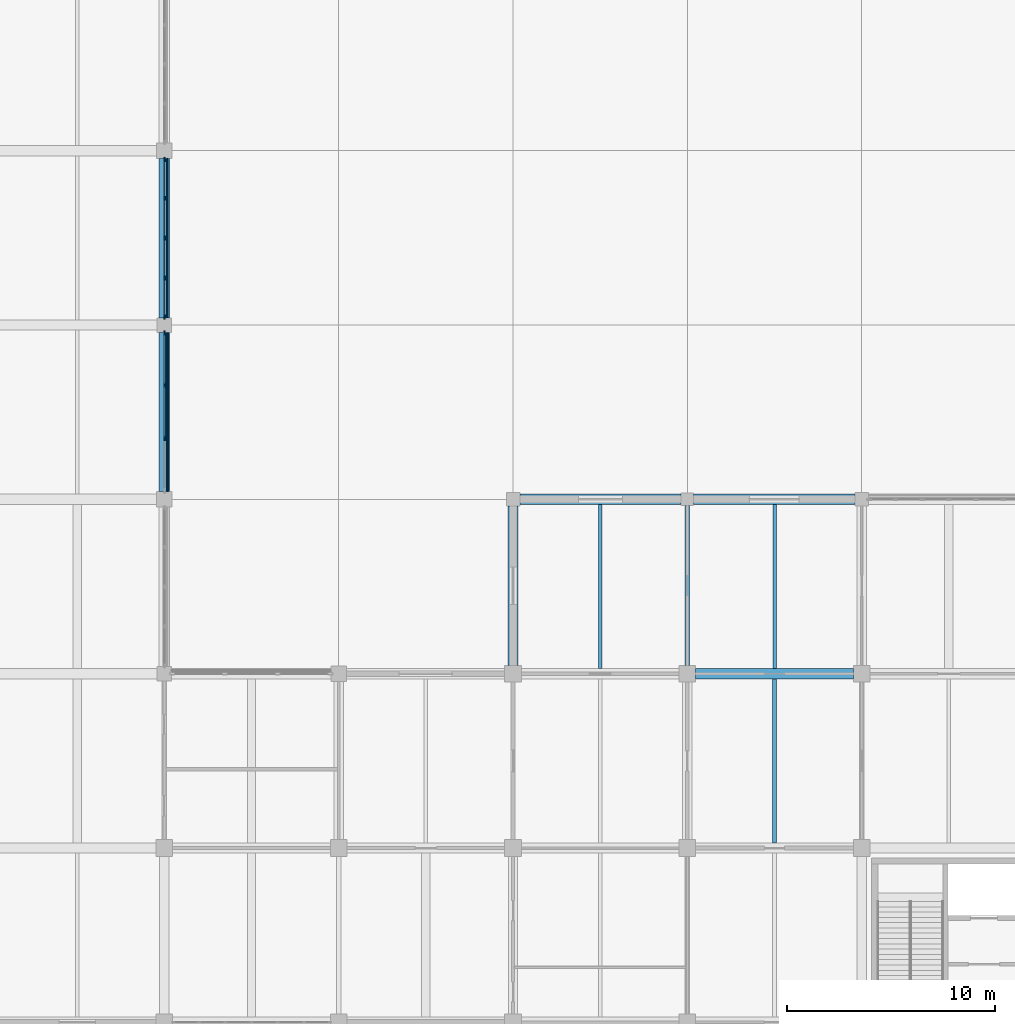
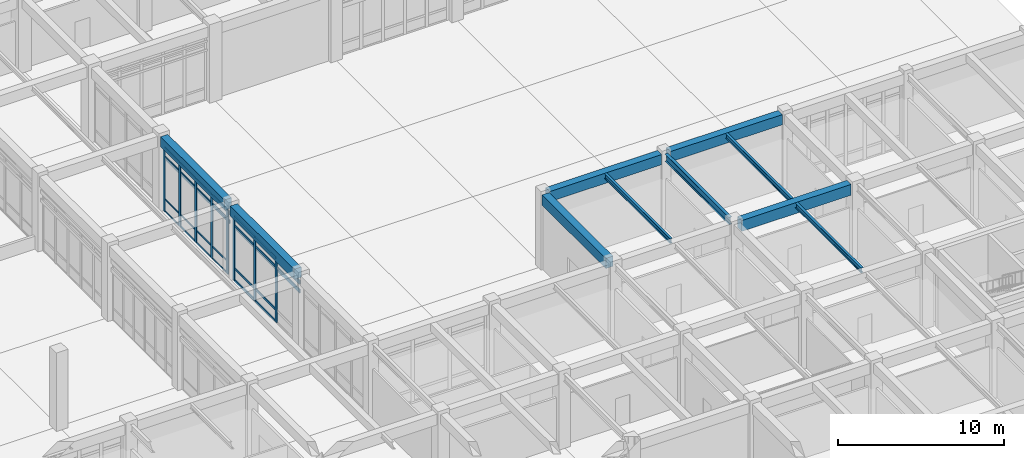
# One storey, part 39 of 91: 36 members, 10 beams, 2 elements without a shape of their own.
"""IFC4 building model written with IfcOpenShell, lengths in metres."""

from ifc_helpers import new_model, si_unit, direction, frame, origin, origin_2d, place, context, subcontext, project, spatial, rectangle, i_section, extrude, material, layer, layer_set, material_profile, profile_set, type_object, element, aggregate, save


model = new_model("IFC4")

# Units and contexts
model_context = context("Model", 3, precision=1e-05, world=origin(), true_north=direction((0.0, 1.0)))
body_context = subcontext(model_context, "Body", "Model", "MODEL_VIEW")
ifc_project = project(units=[si_unit("LENGTHUNIT", "METRE"), si_unit("AREAUNIT", "SQUARE_METRE"), si_unit("VOLUMEUNIT", "CUBIC_METRE"), si_unit("PLANEANGLEUNIT", "RADIAN"), si_unit("MASSUNIT", "GRAM", prefix="KILO")], contexts=[model_context])

# Site, building, storey
site_placement = place(None, origin())
site = spatial("IfcSite", under=ifc_project, at=site_placement, CompositionType="ELEMENT")
building_placement = place(site_placement, origin())
building = spatial("IfcBuilding", under=site, at=building_placement, Name="Porcellanite Civic Hall", CompositionType="ELEMENT")
storey_placement = place(building_placement, origin())
storey = spatial("IfcBuildingStorey", under=building, at=storey_placement, Name="L00", CompositionType="ELEMENT", Elevation=0.0)

# Beams
ifc_material_1 = material(Name="Concrete N50 (50 MPa)", Category="concrete")
ifc_material_profile_1 = material_profile(ifc_material_1, rectangle(XDim=0.5, YDim=0.75, at=origin_2d()), Name="RC-500x750")
ifc_profile_set_1 = profile_set([ifc_material_profile_1], Name="Concrete N50 (50 MPa)")
beam_type_1 = type_object("IfcBeamType", Name="BM-RC750", PredefinedType="SPANDREL", material=ifc_profile_set_1)
for number, where, z_axis, x_axis, name in (
    (1, (143.12451171875, 75.60009765625, 5.125), (1.0, 0.0, 0.0), (0.0, 1.0, 0.0), "Beam X L00 18-10"),
    (2, (151.49951171875, 75.60009765625, 5.125), (1.0, 0.0, 0.0), (0.0, 1.0, 0.0), "Beam X L00 19-10"),
):
    element("IfcBeam", number, at=place(storey_placement, frame(where, z_axis=z_axis, x_axis=x_axis)), inside=storey, type_object=beam_type_1, Name=name, PredefinedType="SPANDREL", context=body_context, shape_type="SweptSolid", body=[
        extrude(rectangle(XDim=0.5, YDim=0.75, at=origin_2d()), origin(), (0.0, 0.0, 1.0), 7.77587890625),
    ])
for number, where, z_axis, x_axis, name in (
    (3, (126.0, 75.974609375, 5.125), (0.0, 1.0, 0.0), (-1.0, 0.0, 0.0), "Beam Y L00 16-10"),
    (4, (126.0, 84.349609375, 5.125), (0.0, 1.0, 0.0), (-1.0, 0.0, 0.0), "Beam Y L00 16-11"),
    (5, (142.800048828125, 67.599609375, 5.125), (0.0, 1.0, 0.0), (-1.0, 0.0, 0.0), "Beam Y L00 18-9"),
):
    element("IfcBeam", number, at=place(storey_placement, frame(where, z_axis=z_axis, x_axis=x_axis)), inside=storey, type_object=beam_type_1, Name=name, PredefinedType="SPANDREL", context=body_context, shape_type="SweptSolid", body=[
        extrude(rectangle(XDim=0.5, YDim=0.75, at=origin_2d()), origin(), (0.0, 0.0, 1.0), 7.67578125),
    ])
ifc_material_2 = material(Name="Concrete N50 (50 MPa)", Category="concrete")
ifc_material_profile_2 = material_profile(ifc_material_2, rectangle(XDim=0.5, YDim=0.800048828125, at=origin_2d()), Name="RC-500x800")
ifc_profile_set_2 = profile_set([ifc_material_profile_2], Name="Concrete N50 (50 MPa)")
beam_type_2 = type_object("IfcBeamType", Name="BM-RC800", PredefinedType="BEAM", material=ifc_profile_set_2)
beam_1_placement = place(storey_placement, frame((151.599609375, 67.199951171875, 5.10009765625), z_axis=(1.0, 0.0, 0.0), x_axis=(0.0, 1.0, 0.0)))
element("IfcBeam", 6, at=beam_1_placement, inside=storey, type_object=beam_type_2, Name="Beam X L00 19-9", PredefinedType="BEAM", context=body_context, shape_type="SweptSolid", body=[
    extrude(rectangle(XDim=0.5, YDim=0.800048828125, at=origin_2d()), origin(), (0.0, 0.0, 1.0), 7.600830078125),
])

# Curtain wall, members
ifc_material_3 = material(Name="Anodised aluminium and solar laminated glass", Category="aluminium")
ifc_layer_1 = layer(ifc_material_3, 0.179931640625)
ifc_layer_set_1 = layer_set([ifc_layer_1], Name="Anodised aluminium and solar laminated glass")
curtain_wall_type_1 = type_object("IfcCurtainWallType", Name="CW-SYS08", PredefinedType="NOTDEFINED", material=ifc_layer_set_1)
curtain_wall_1_placement = place(storey_placement, origin())
curtain_wall_1 = element("IfcCurtainWall", 7, at=curtain_wall_1_placement, inside=storey, type_object=curtain_wall_type_1, Name="Curtain wall CW-040", PredefinedType="NOTDEFINED")
ifc_material_4 = material(Name="Anodised aluminium 6063-T6", Category="aluminium")
ifc_material_profile_3 = material_profile(ifc_material_4, rectangle(XDim=0.080078125, YDim=0.239990234375, at=origin_2d()), Name="AL-80x240")
ifc_profile_set_3 = profile_set([ifc_material_profile_3], Name="Anodised aluminium 6063-T6")
member_type_1 = type_object("IfcMemberType", Name="CWM-01", PredefinedType="MULLION", material=ifc_profile_set_3)
member_1_placement = place(storey_placement, frame((126.0, 83.60888671875, 0.0), z_axis=(0.0, 0.0, 1.0), x_axis=(1.0, 0.0, 0.0)))
member_1 = element("IfcMember", 8, at=member_1_placement, type_object=member_type_1, Name="CW-040 mullion 1", PredefinedType="MULLION", context=body_context, shape_type="SweptSolid", body=[
    extrude(rectangle(XDim=0.080078125, YDim=0.239990234375, at=origin_2d()), origin(), (0.0, 0.0, 1.0), 4.699951171875),
])
member_2_placement = place(storey_placement, frame((126.0, 81.09130859375, 0.0), z_axis=(0.0, 0.0, 1.0), x_axis=(1.0, 0.0, 0.0)))
member_2 = element("IfcMember", 9, at=member_2_placement, type_object=member_type_1, Name="CW-040 mullion 2", PredefinedType="MULLION", context=body_context, shape_type="SweptSolid", body=[
    extrude(rectangle(XDim=0.080078125, YDim=0.239990234375, at=origin_2d()), origin(), (0.0, 0.0, 1.0), 4.699951171875),
])
member_3_placement = place(storey_placement, frame((126.0, 78.53369140625, 0.0), z_axis=(0.0, 0.0, 1.0), x_axis=(1.0, 0.0, 0.0)))
member_3 = element("IfcMember", 10, at=member_3_placement, type_object=member_type_1, Name="CW-040 mullion 3", PredefinedType="MULLION", context=body_context, shape_type="SweptSolid", body=[
    extrude(rectangle(XDim=0.080078125, YDim=0.239990234375, at=origin_2d()), origin(), (0.0, 0.0, 1.0), 4.699951171875),
])

ifc_material_5 = material(Name="Anodised aluminium and solar laminated glass", Category="aluminium")
ifc_layer_2 = layer(ifc_material_5, 0.179931640625)
ifc_layer_set_2 = layer_set([ifc_layer_2], Name="Anodised aluminium and solar laminated glass")
curtain_wall_type_2 = type_object("IfcCurtainWallType", Name="CW-SYS03", PredefinedType="NOTDEFINED", material=ifc_layer_set_2)
curtain_wall_2_placement = place(storey_placement, origin())
curtain_wall_2 = element("IfcCurtainWall", 11, at=curtain_wall_2_placement, inside=storey, type_object=curtain_wall_type_2, Name="Curtain wall CW-042", PredefinedType="NOTDEFINED")
ifc_material_6 = material(Name="Anodised aluminium 6063-T6", Category="aluminium")
ifc_material_profile_4 = material_profile(ifc_material_6, rectangle(XDim=0.080078125, YDim=0.2099609375, at=origin_2d()), Name="AL-80x210")
ifc_profile_set_4 = profile_set([ifc_material_profile_4], Name="Anodised aluminium 6063-T6")
member_type_2 = type_object("IfcMemberType", Name="CWM-02", PredefinedType="MULLION", material=ifc_profile_set_4)
member_4_placement = place(storey_placement, frame((126.0, 91.98388671875, 0.0), z_axis=(0.0, 0.0, 1.0), x_axis=(1.0, 0.0, 0.0)))
member_4 = element("IfcMember", 12, at=member_4_placement, type_object=member_type_2, Name="CW-042 mullion 1", PredefinedType="MULLION", context=body_context, shape_type="SweptSolid", body=[
    extrude(rectangle(XDim=0.080078125, YDim=0.2099609375, at=origin_2d()), origin(), (0.0, 0.0, 1.0), 4.699951171875),
])
member_5_placement = place(storey_placement, frame((126.0, 90.105712890625, 0.0), z_axis=(0.0, 0.0, 1.0), x_axis=(1.0, 0.0, 0.0)))
member_5 = element("IfcMember", 13, at=member_5_placement, type_object=member_type_2, Name="CW-042 mullion 2", PredefinedType="MULLION", context=body_context, shape_type="SweptSolid", body=[
    extrude(rectangle(XDim=0.080078125, YDim=0.2099609375, at=origin_2d()), origin(), (0.0, 0.0, 1.0), 4.699951171875),
])
member_6_placement = place(storey_placement, frame((126.0, 88.1875, 0.0), z_axis=(0.0, 0.0, 1.0), x_axis=(1.0, 0.0, 0.0)))
member_6 = element("IfcMember", 14, at=member_6_placement, type_object=member_type_2, Name="CW-042 mullion 3", PredefinedType="MULLION", context=body_context, shape_type="SweptSolid", body=[
    extrude(rectangle(XDim=0.080078125, YDim=0.2099609375, at=origin_2d()), origin(), (0.0, 0.0, 1.0), 4.699951171875),
])
member_7_placement = place(storey_placement, frame((126.0, 86.269287109375, 0.0), z_axis=(0.0, 0.0, 1.0), x_axis=(1.0, 0.0, 0.0)))
member_7 = element("IfcMember", 15, at=member_7_placement, type_object=member_type_2, Name="CW-042 mullion 4", PredefinedType="MULLION", context=body_context, shape_type="SweptSolid", body=[
    extrude(rectangle(XDim=0.080078125, YDim=0.2099609375, at=origin_2d()), origin(), (0.0, 0.0, 1.0), 4.699951171875),
])
member_8_placement = place(storey_placement, frame((126.0, 84.39111328125, 0.0), z_axis=(0.0, 0.0, 1.0), x_axis=(1.0, 0.0, 0.0)))
member_8 = element("IfcMember", 16, at=member_8_placement, type_object=member_type_2, Name="CW-042 mullion 5", PredefinedType="MULLION", context=body_context, shape_type="SweptSolid", body=[
    extrude(rectangle(XDim=0.080078125, YDim=0.2099609375, at=origin_2d()), origin(), (0.0, 0.0, 1.0), 4.699951171875),
])

# Member
ifc_material_7 = material(Name="Anodised aluminium 6063-T6", Category="aluminium")
ifc_material_profile_5 = material_profile(ifc_material_7, rectangle(XDim=0.070068359375, YDim=0.175048828125, at=origin_2d()), Name="AL-70x175")
ifc_profile_set_5 = profile_set([ifc_material_profile_5], Name="Anodised aluminium 6063-T6")
member_type_3 = type_object("IfcMemberType", Name="CWT-01", PredefinedType="USERDEFINED", material=ifc_profile_set_5)
member_9_placement = place(storey_placement, frame((126.0, 83.569091796875, 0.034912109375), z_axis=(0.0, -1.0, 0.0), x_axis=(1.0, 0.0, 0.0)))
member_9 = element("IfcMember", 17, at=member_9_placement, type_object=member_type_3, Name="CW-040 transom 1.1", ObjectType="TRANSOM", PredefinedType="USERDEFINED", context=body_context, shape_type="SweptSolid", body=[
    extrude(rectangle(XDim=0.070068359375, YDim=0.175048828125, at=origin_2d()), origin(), (0.0, 0.0, 1.0), 2.437744140625),
])

member_10_placement = place(storey_placement, frame((126.0, 83.569091796875, 0.89990234375), z_axis=(0.0, -1.0, 0.0), x_axis=(1.0, 0.0, 0.0)))
member_10 = element("IfcMember", 18, at=member_10_placement, type_object=member_type_3, Name="CW-040 transom 1.2", ObjectType="TRANSOM", PredefinedType="USERDEFINED", context=body_context, shape_type="SweptSolid", body=[
    extrude(rectangle(XDim=0.070068359375, YDim=0.175048828125, at=origin_2d()), origin(), (0.0, 0.0, 1.0), 2.437744140625),
])

member_11_placement = place(storey_placement, frame((126.0, 83.569091796875, 4.050048828125), z_axis=(0.0, -1.0, 0.0), x_axis=(1.0, 0.0, 0.0)))
member_11 = element("IfcMember", 19, at=member_11_placement, type_object=member_type_3, Name="CW-040 transom 1.3", ObjectType="TRANSOM", PredefinedType="USERDEFINED", context=body_context, shape_type="SweptSolid", body=[
    extrude(rectangle(XDim=0.070068359375, YDim=0.175048828125, at=origin_2d()), origin(), (0.0, 0.0, 1.0), 2.437744140625),
])

member_12_placement = place(storey_placement, frame((126.0, 83.569091796875, 4.6650390625), z_axis=(0.0, -1.0, 0.0), x_axis=(1.0, 0.0, 0.0)))
member_12 = element("IfcMember", 20, at=member_12_placement, type_object=member_type_3, Name="CW-040 transom 1.4", ObjectType="TRANSOM", PredefinedType="USERDEFINED", context=body_context, shape_type="SweptSolid", body=[
    extrude(rectangle(XDim=0.070068359375, YDim=0.175048828125, at=origin_2d()), origin(), (0.0, 0.0, 1.0), 2.437744140625),
])

member_13_placement = place(storey_placement, frame((126.0, 81.05126953125, 0.034912109375), z_axis=(0.0, -1.0, 0.0), x_axis=(1.0, 0.0, 0.0)))
member_13 = element("IfcMember", 21, at=member_13_placement, type_object=member_type_3, Name="CW-040 transom 2.1", ObjectType="TRANSOM", PredefinedType="USERDEFINED", context=body_context, shape_type="SweptSolid", body=[
    extrude(rectangle(XDim=0.070068359375, YDim=0.175048828125, at=origin_2d()), origin(), (0.0, 0.0, 1.0), 2.4775390625),
])

member_14_placement = place(storey_placement, frame((126.0, 81.05126953125, 0.89990234375), z_axis=(0.0, -1.0, 0.0), x_axis=(1.0, 0.0, 0.0)))
member_14 = element("IfcMember", 22, at=member_14_placement, type_object=member_type_3, Name="CW-040 transom 2.2", ObjectType="TRANSOM", PredefinedType="USERDEFINED", context=body_context, shape_type="SweptSolid", body=[
    extrude(rectangle(XDim=0.070068359375, YDim=0.175048828125, at=origin_2d()), origin(), (0.0, 0.0, 1.0), 2.4775390625),
])

member_15_placement = place(storey_placement, frame((126.0, 81.05126953125, 4.050048828125), z_axis=(0.0, -1.0, 0.0), x_axis=(1.0, 0.0, 0.0)))
member_15 = element("IfcMember", 23, at=member_15_placement, type_object=member_type_3, Name="CW-040 transom 2.3", ObjectType="TRANSOM", PredefinedType="USERDEFINED", context=body_context, shape_type="SweptSolid", body=[
    extrude(rectangle(XDim=0.070068359375, YDim=0.175048828125, at=origin_2d()), origin(), (0.0, 0.0, 1.0), 2.4775390625),
])

member_16_placement = place(storey_placement, frame((126.0, 81.05126953125, 4.6650390625), z_axis=(0.0, -1.0, 0.0), x_axis=(1.0, 0.0, 0.0)))
member_16 = element("IfcMember", 24, at=member_16_placement, type_object=member_type_3, Name="CW-040 transom 2.4", ObjectType="TRANSOM", PredefinedType="USERDEFINED", context=body_context, shape_type="SweptSolid", body=[
    extrude(rectangle(XDim=0.070068359375, YDim=0.175048828125, at=origin_2d()), origin(), (0.0, 0.0, 1.0), 2.4775390625),
])

aggregate(curtain_wall_1, [member_1, member_2, member_3, member_9, member_10, member_11, member_12, member_13, member_14, member_15, member_16])

ifc_material_8 = material(Name="Anodised aluminium 6063-T6", Category="aluminium")
ifc_material_profile_6 = material_profile(ifc_material_8, rectangle(XDim=0.054931640625, YDim=0.1201171875, at=origin_2d()), Name="AL-55x120")
ifc_profile_set_6 = profile_set([ifc_material_profile_6], Name="Anodised aluminium 6063-T6")
member_type_4 = type_object("IfcMemberType", Name="CWT-04", PredefinedType="USERDEFINED", material=ifc_profile_set_6)
member_17_placement = place(storey_placement, frame((126.0, 91.944091796875, 0.027587890625), z_axis=(0.0, -1.0, 0.0), x_axis=(1.0, 0.0, 0.0)))
member_17 = element("IfcMember", 25, at=member_17_placement, type_object=member_type_4, Name="CW-042 transom 1.1", ObjectType="TRANSOM", PredefinedType="USERDEFINED", context=body_context, shape_type="SweptSolid", body=[
    extrude(rectangle(XDim=0.054931640625, YDim=0.1201171875, at=origin_2d()), origin(), (0.0, 0.0, 1.0), 1.79833984375),
])

member_18_placement = place(storey_placement, frame((126.0, 91.944091796875, 0.89990234375), z_axis=(0.0, -1.0, 0.0), x_axis=(1.0, 0.0, 0.0)))
member_18 = element("IfcMember", 26, at=member_18_placement, type_object=member_type_4, Name="CW-042 transom 1.2", ObjectType="TRANSOM", PredefinedType="USERDEFINED", context=body_context, shape_type="SweptSolid", body=[
    extrude(rectangle(XDim=0.054931640625, YDim=0.1201171875, at=origin_2d()), origin(), (0.0, 0.0, 1.0), 1.79833984375),
])

member_19_placement = place(storey_placement, frame((126.0, 91.944091796875, 4.050048828125), z_axis=(0.0, -1.0, 0.0), x_axis=(1.0, 0.0, 0.0)))
member_19 = element("IfcMember", 27, at=member_19_placement, type_object=member_type_4, Name="CW-042 transom 1.3", ObjectType="TRANSOM", PredefinedType="USERDEFINED", context=body_context, shape_type="SweptSolid", body=[
    extrude(rectangle(XDim=0.054931640625, YDim=0.1201171875, at=origin_2d()), origin(), (0.0, 0.0, 1.0), 1.79833984375),
])

member_20_placement = place(storey_placement, frame((126.0, 91.944091796875, 4.672607421875), z_axis=(0.0, -1.0, 0.0), x_axis=(1.0, 0.0, 0.0)))
member_20 = element("IfcMember", 28, at=member_20_placement, type_object=member_type_4, Name="CW-042 transom 1.4", ObjectType="TRANSOM", PredefinedType="USERDEFINED", context=body_context, shape_type="SweptSolid", body=[
    extrude(rectangle(XDim=0.054931640625, YDim=0.1201171875, at=origin_2d()), origin(), (0.0, 0.0, 1.0), 1.79833984375),
])

member_21_placement = place(storey_placement, frame((126.0, 90.065673828125, 0.027587890625), z_axis=(0.0, -1.0, 0.0), x_axis=(1.0, 0.0, 0.0)))
member_21 = element("IfcMember", 29, at=member_21_placement, type_object=member_type_4, Name="CW-042 transom 2.1", ObjectType="TRANSOM", PredefinedType="USERDEFINED", context=body_context, shape_type="SweptSolid", body=[
    extrude(rectangle(XDim=0.054931640625, YDim=0.1201171875, at=origin_2d()), origin(), (0.0, 0.0, 1.0), 1.838134765625),
])

member_22_placement = place(storey_placement, frame((126.0, 90.065673828125, 0.89990234375), z_axis=(0.0, -1.0, 0.0), x_axis=(1.0, 0.0, 0.0)))
member_22 = element("IfcMember", 30, at=member_22_placement, type_object=member_type_4, Name="CW-042 transom 2.2", ObjectType="TRANSOM", PredefinedType="USERDEFINED", context=body_context, shape_type="SweptSolid", body=[
    extrude(rectangle(XDim=0.054931640625, YDim=0.1201171875, at=origin_2d()), origin(), (0.0, 0.0, 1.0), 1.838134765625),
])

member_23_placement = place(storey_placement, frame((126.0, 90.065673828125, 4.050048828125), z_axis=(0.0, -1.0, 0.0), x_axis=(1.0, 0.0, 0.0)))
member_23 = element("IfcMember", 31, at=member_23_placement, type_object=member_type_4, Name="CW-042 transom 2.3", ObjectType="TRANSOM", PredefinedType="USERDEFINED", context=body_context, shape_type="SweptSolid", body=[
    extrude(rectangle(XDim=0.054931640625, YDim=0.1201171875, at=origin_2d()), origin(), (0.0, 0.0, 1.0), 1.838134765625),
])

member_24_placement = place(storey_placement, frame((126.0, 90.065673828125, 4.672607421875), z_axis=(0.0, -1.0, 0.0), x_axis=(1.0, 0.0, 0.0)))
member_24 = element("IfcMember", 32, at=member_24_placement, type_object=member_type_4, Name="CW-042 transom 2.4", ObjectType="TRANSOM", PredefinedType="USERDEFINED", context=body_context, shape_type="SweptSolid", body=[
    extrude(rectangle(XDim=0.054931640625, YDim=0.1201171875, at=origin_2d()), origin(), (0.0, 0.0, 1.0), 1.838134765625),
])

member_25_placement = place(storey_placement, frame((126.0, 88.1474609375, 0.027587890625), z_axis=(0.0, -1.0, 0.0), x_axis=(1.0, 0.0, 0.0)))
member_25 = element("IfcMember", 33, at=member_25_placement, type_object=member_type_4, Name="CW-042 transom 3.1", ObjectType="TRANSOM", PredefinedType="USERDEFINED", context=body_context, shape_type="SweptSolid", body=[
    extrude(rectangle(XDim=0.054931640625, YDim=0.1201171875, at=origin_2d()), origin(), (0.0, 0.0, 1.0), 1.838134765625),
])

member_26_placement = place(storey_placement, frame((126.0, 88.1474609375, 0.89990234375), z_axis=(0.0, -1.0, 0.0), x_axis=(1.0, 0.0, 0.0)))
member_26 = element("IfcMember", 34, at=member_26_placement, type_object=member_type_4, Name="CW-042 transom 3.2", ObjectType="TRANSOM", PredefinedType="USERDEFINED", context=body_context, shape_type="SweptSolid", body=[
    extrude(rectangle(XDim=0.054931640625, YDim=0.1201171875, at=origin_2d()), origin(), (0.0, 0.0, 1.0), 1.838134765625),
])

member_27_placement = place(storey_placement, frame((126.0, 88.1474609375, 4.050048828125), z_axis=(0.0, -1.0, 0.0), x_axis=(1.0, 0.0, 0.0)))
member_27 = element("IfcMember", 35, at=member_27_placement, type_object=member_type_4, Name="CW-042 transom 3.3", ObjectType="TRANSOM", PredefinedType="USERDEFINED", context=body_context, shape_type="SweptSolid", body=[
    extrude(rectangle(XDim=0.054931640625, YDim=0.1201171875, at=origin_2d()), origin(), (0.0, 0.0, 1.0), 1.838134765625),
])

member_28_placement = place(storey_placement, frame((126.0, 88.1474609375, 4.672607421875), z_axis=(0.0, -1.0, 0.0), x_axis=(1.0, 0.0, 0.0)))
member_28 = element("IfcMember", 36, at=member_28_placement, type_object=member_type_4, Name="CW-042 transom 3.4", ObjectType="TRANSOM", PredefinedType="USERDEFINED", context=body_context, shape_type="SweptSolid", body=[
    extrude(rectangle(XDim=0.054931640625, YDim=0.1201171875, at=origin_2d()), origin(), (0.0, 0.0, 1.0), 1.838134765625),
])

member_29_placement = place(storey_placement, frame((126.0, 86.229248046875, 0.027587890625), z_axis=(0.0, -1.0, 0.0), x_axis=(1.0, 0.0, 0.0)))
member_29 = element("IfcMember", 37, at=member_29_placement, type_object=member_type_4, Name="CW-042 transom 4.1", ObjectType="TRANSOM", PredefinedType="USERDEFINED", context=body_context, shape_type="SweptSolid", body=[
    extrude(rectangle(XDim=0.054931640625, YDim=0.1201171875, at=origin_2d()), origin(), (0.0, 0.0, 1.0), 1.79833984375),
])

member_30_placement = place(storey_placement, frame((126.0, 86.229248046875, 0.89990234375), z_axis=(0.0, -1.0, 0.0), x_axis=(1.0, 0.0, 0.0)))
member_30 = element("IfcMember", 38, at=member_30_placement, type_object=member_type_4, Name="CW-042 transom 4.2", ObjectType="TRANSOM", PredefinedType="USERDEFINED", context=body_context, shape_type="SweptSolid", body=[
    extrude(rectangle(XDim=0.054931640625, YDim=0.1201171875, at=origin_2d()), origin(), (0.0, 0.0, 1.0), 1.79833984375),
])

member_31_placement = place(storey_placement, frame((126.0, 86.229248046875, 4.050048828125), z_axis=(0.0, -1.0, 0.0), x_axis=(1.0, 0.0, 0.0)))
member_31 = element("IfcMember", 39, at=member_31_placement, type_object=member_type_4, Name="CW-042 transom 4.3", ObjectType="TRANSOM", PredefinedType="USERDEFINED", context=body_context, shape_type="SweptSolid", body=[
    extrude(rectangle(XDim=0.054931640625, YDim=0.1201171875, at=origin_2d()), origin(), (0.0, 0.0, 1.0), 1.79833984375),
])

member_32_placement = place(storey_placement, frame((126.0, 86.229248046875, 4.672607421875), z_axis=(0.0, -1.0, 0.0), x_axis=(1.0, 0.0, 0.0)))
member_32 = element("IfcMember", 40, at=member_32_placement, type_object=member_type_4, Name="CW-042 transom 4.4", ObjectType="TRANSOM", PredefinedType="USERDEFINED", context=body_context, shape_type="SweptSolid", body=[
    extrude(rectangle(XDim=0.054931640625, YDim=0.1201171875, at=origin_2d()), origin(), (0.0, 0.0, 1.0), 1.79833984375),
])

aggregate(curtain_wall_2, [member_4, member_5, member_6, member_7, member_8, member_17, member_18, member_19, member_20, member_21, member_22, member_23, member_24, member_25, member_26, member_27, member_28, member_29, member_30, member_31, member_32])

# Beams
ifc_material_9 = material(Name="Steel Grade 350", Category="steel")
ifc_material_profile_7 = material_profile(ifc_material_9, i_section(OverallWidth=0.1708984375, OverallDepth=0.35595703125, WebThickness=0.00732421875, FlangeThickness=0.011474609375, FilletRadius=0.011474609375, at=origin_2d()), Name="360UB50.7")
ifc_profile_set_7 = profile_set([ifc_material_profile_7], Name="Steel Grade 350")
beam_type_3 = type_object("IfcBeamType", Name="JST-360UB51", PredefinedType="JOIST", material=ifc_profile_set_7)
beam_2_placement = place(storey_placement, frame((155.39990234375, 67.449462890625, 5.322021484375), z_axis=(0.0, 1.0, 0.0), x_axis=(-1.0, 0.0, 0.0)))
element("IfcBeam", 41, at=beam_2_placement, inside=storey, type_object=beam_type_3, Name="Secondary joist L00 19-9", PredefinedType="JOIST", context=body_context, shape_type="SweptSolid", body=[
    extrude(i_section(OverallWidth=0.1708984375, OverallDepth=0.35595703125, WebThickness=0.00732421875, FlangeThickness=0.011474609375, FilletRadius=0.011474609375, at=origin_2d()), origin(), (0.0, 0.0, 1.0), 7.901123046875),
])
ifc_material_10 = material(Name="Steel Grade 350", Category="steel")
ifc_material_profile_8 = material_profile(ifc_material_10, i_section(OverallWidth=0.172119140625, OverallDepth=0.35888671875, WebThickness=0.008056640625, FlangeThickness=0.012939453125, FilletRadius=0.011474609375, at=origin_2d()), Name="360UB56.7")
ifc_profile_set_8 = profile_set([ifc_material_profile_8], Name="Steel Grade 350")
beam_type_4 = type_object("IfcBeamType", Name="JST-360UB57", PredefinedType="JOIST", material=ifc_profile_set_8)
beam_3_placement = place(storey_placement, frame((147.0, 67.449462890625, 5.320556640625), z_axis=(0.0, 1.0, 0.0), x_axis=(-1.0, 0.0, 0.0)))
element("IfcBeam", 42, at=beam_3_placement, inside=storey, type_object=beam_type_4, Name="Secondary joist L00 18-9", PredefinedType="JOIST", context=body_context, shape_type="SweptSolid", body=[
    extrude(i_section(OverallWidth=0.172119140625, OverallDepth=0.35888671875, WebThickness=0.008056640625, FlangeThickness=0.012939453125, FilletRadius=0.011474609375, at=origin_2d()), origin(), (0.0, 0.0, 1.0), 7.901123046875),
])
beam_4_placement = place(storey_placement, frame((155.39990234375, 59.049560546875, 5.320556640625), z_axis=(0.0, 1.0, 0.0), x_axis=(-1.0, 0.0, 0.0)))
element("IfcBeam", 43, at=beam_4_placement, inside=storey, type_object=beam_type_4, Name="Secondary joist L00 19-8", PredefinedType="JOIST", context=body_context, shape_type="SweptSolid", body=[
    extrude(i_section(OverallWidth=0.172119140625, OverallDepth=0.35888671875, WebThickness=0.008056640625, FlangeThickness=0.012939453125, FilletRadius=0.011474609375, at=origin_2d()), origin(), (0.0, 0.0, 1.0), 7.90087890625),
])

# Members
ifc_material_11 = material(Name="Fluoropolymer bauxite-red aluminium 6063-T6", Category="aluminium")
ifc_material_profile_9 = material_profile(ifc_material_11, rectangle(XDim=0.070068359375, YDim=0.280029296875, at=origin_2d()), Name="AL-70x280")
ifc_profile_set_9 = profile_set([ifc_material_profile_9], Name="Fluoropolymer bauxite-red aluminium 6063-T6")
member_type_5 = type_object("IfcMemberType", Name="LV-BLD05", PredefinedType="USERDEFINED", material=ifc_profile_set_9)
for number, where, z_axis, x_axis, name in (
    (44, (126.156982421875, 83.650390625, 4.39990234375), (0.0, -1.0, 0.0), (1.0, 0.0, 0.0), "Cyclone sunshade louvre L00 E 14-9 1"),
    (45, (126.156982421875, 83.650390625, 3.75), (0.0, -1.0, 0.0), (1.0, 0.0, 0.0), "Cyclone sunshade louvre L00 E 14-9 2"),
):
    element("IfcMember", number, at=place(storey_placement, frame(where, z_axis=z_axis, x_axis=x_axis)), inside=storey, type_object=member_type_5, Name=name, ObjectType="LOUVRE BLADE", PredefinedType="USERDEFINED", context=body_context, shape_type="SweptSolid", body=[
        extrude(rectangle(XDim=0.070068359375, YDim=0.280029296875, at=origin_2d()), origin(), (0.0, 0.0, 1.0), 7.67578125),
    ])
ifc_material_12 = material(Name="Fluoropolymer bauxite-red aluminium 6063-T6", Category="aluminium")
ifc_material_profile_10 = material_profile(ifc_material_12, rectangle(XDim=0.06494140625, YDim=0.239990234375, at=origin_2d()), Name="AL-65x240")
ifc_profile_set_10 = profile_set([ifc_material_profile_10], Name="Fluoropolymer bauxite-red aluminium 6063-T6")
member_type_6 = type_object("IfcMemberType", Name="LV-BLD07", PredefinedType="USERDEFINED", material=ifc_profile_set_10)
for number, where, z_axis, x_axis, name in (
    (46, (126.139404296875, 92.025390625, 4.39990234375), (0.0, -1.0, 0.0), (1.0, 0.0, 0.0), "Cyclone sunshade louvre L00 E 14-10 1"),
    (47, (126.139404296875, 92.025390625, 3.75), (0.0, -1.0, 0.0), (1.0, 0.0, 0.0), "Cyclone sunshade louvre L00 E 14-10 2"),
):
    element("IfcMember", number, at=place(storey_placement, frame(where, z_axis=z_axis, x_axis=x_axis)), inside=storey, type_object=member_type_6, Name=name, ObjectType="LOUVRE BLADE", PredefinedType="USERDEFINED", context=body_context, shape_type="SweptSolid", body=[
        extrude(rectangle(XDim=0.06494140625, YDim=0.239990234375, at=origin_2d()), origin(), (0.0, 0.0, 1.0), 7.67578125),
    ])

# Beam
ifc_material_13 = material(Name="Steel Grade 350", Category="steel")
ifc_material_profile_11 = material_profile(ifc_material_13, i_section(OverallWidth=0.208984375, OverallDepth=0.528076171875, WebThickness=0.009521484375, FlangeThickness=0.01318359375, FilletRadius=0.013916015625, at=origin_2d()), Name="530UB82.0")
ifc_profile_set_11 = profile_set([ifc_material_profile_11], Name="Steel Grade 350")
beam_type_5 = type_object("IfcBeamType", Name="RAF-530UB82", PredefinedType="BEAM", material=ifc_profile_set_11)
beam_5_placement = place(storey_placement, frame((151.199951171875, 67.599609375, 5.236083984375), z_axis=(0.0, 1.0, 0.0), x_axis=(-1.0, 0.0, 0.0)))
element("IfcBeam", 48, at=beam_5_placement, inside=storey, type_object=beam_type_5, Name="Beam Y L00 19-9", PredefinedType="BEAM", context=body_context, shape_type="SweptSolid", body=[
    extrude(i_section(OverallWidth=0.208984375, OverallDepth=0.528076171875, WebThickness=0.009521484375, FlangeThickness=0.01318359375, FilletRadius=0.013916015625, at=origin_2d()), origin(), (0.0, 0.0, 1.0), 7.700927734375),
])

save(model, "model.ifc")
